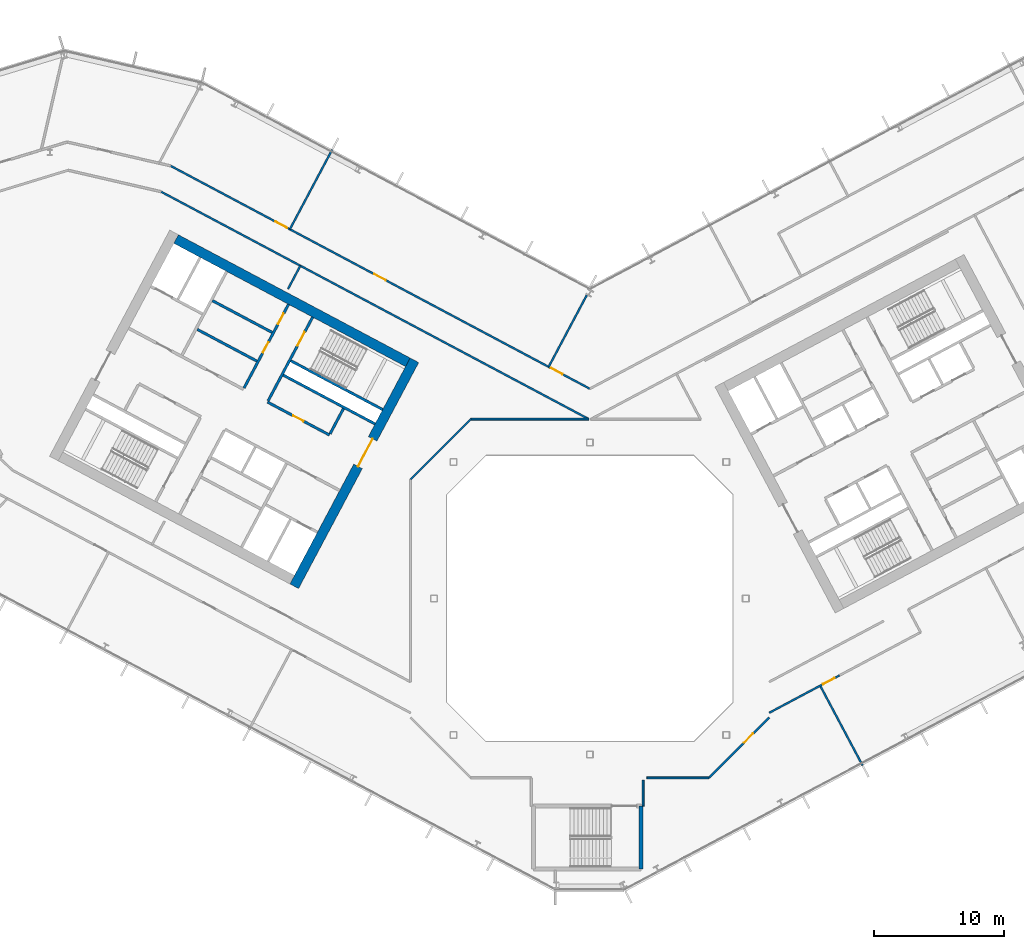
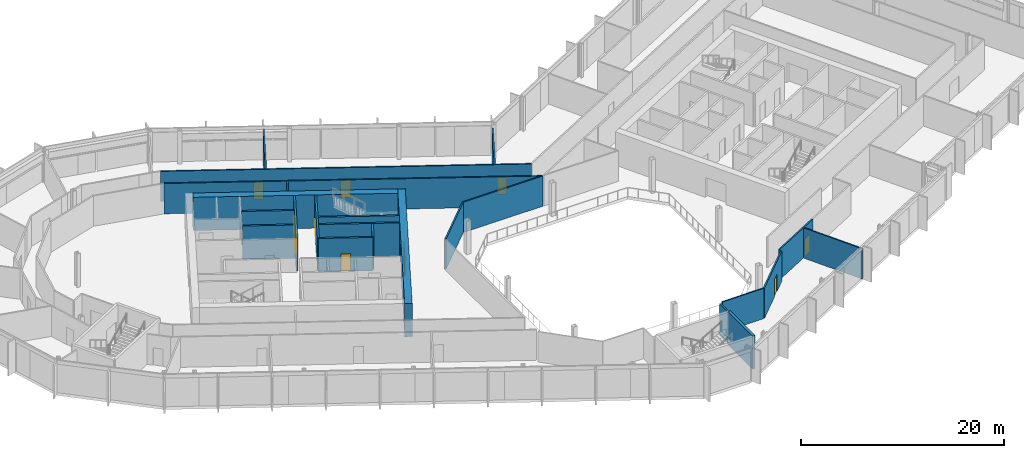
# One storey, part 15 of 28: 24 walls, 10 doors, 10 openings.
"""IFC4 building model written with IfcOpenShell, lengths in metres."""

from ifc_helpers import new_model, si_unit, direction, frame, frame_2d, origin, place, context, subcontext, project, spatial, rectangle, extrude, material, layer, layer_set, type_object, element, fill, save


model = new_model("IFC4")

# Units and contexts
model_context = context("Model", 3, precision=1e-05, world=origin(), true_north=direction((0.0, 1.0)))
body_context = subcontext(model_context, "Body", "Model", "MODEL_VIEW")
ifc_project = project(units=[si_unit("LENGTHUNIT", "METRE"), si_unit("AREAUNIT", "SQUARE_METRE"), si_unit("VOLUMEUNIT", "CUBIC_METRE"), si_unit("PLANEANGLEUNIT", "RADIAN"), si_unit("MASSUNIT", "GRAM", prefix="KILO")], contexts=[model_context])

# Site, building, storey
site_placement = place(None, origin())
site = spatial("IfcSite", under=ifc_project, at=site_placement, CompositionType="ELEMENT")
building_placement = place(site_placement, origin())
building = spatial("IfcBuilding", under=site, at=building_placement, Name="Cormorant Relay Tower", CompositionType="ELEMENT")
storey_placement = place(building_placement, frame((0.0, 0.0, 134.199951171875)))
storey = spatial("IfcBuildingStorey", under=building, at=storey_placement, Name="L27", CompositionType="ELEMENT", Elevation=134.199951171875)

# Walls
ifc_material_1 = material(Name="Concrete 40 MPa", Category="concrete")
ifc_layer_1 = layer(ifc_material_1, 0.199951171875)
ifc_layer_set_1 = layer_set([ifc_layer_1], Name="Core internal wall 200")
wall_type_1 = type_object("IfcWallType", Name="Core internal wall 200", PredefinedType="SOLIDWALL", material=ifc_layer_set_1)
wall_1_placement = place(storey_placement, frame((-24.449462890625, 20.474853515625, 0.0), z_axis=(0.0, 0.0, 1.0), x_axis=(-0.882934506056, 0.469496174655, 0.0)))
element("IfcWall", 1, at=wall_1_placement, inside=storey, type_object=wall_type_1, Name="L27 core A shaft and room wall", PredefinedType="SOLIDWALL", context=body_context, shape_type="SweptSolid", body=[
    extrude(rectangle(XDim=5.199951171875, YDim=0.199951171875, at=frame_2d((2.60009765625, 0.0))), origin(), (0.0, 0.0, 1.0), 4.0),
])
ifc_material_2 = material(Name="Concrete 50 MPa", Category="concrete")
ifc_layer_2 = layer(ifc_material_2, 0.199951171875)
ifc_layer_set_2 = layer_set([ifc_layer_2], Name="Core shaft wall 200")
wall_type_2 = type_object("IfcWallType", Name="Core shaft wall 200", PredefinedType="SHEAR", material=ifc_layer_set_2)
wall_2_placement = place(storey_placement, frame((-18.959716796875, 14.611328125, 0.0), z_axis=(0.0, 0.0, 1.0), x_axis=(-0.4694473164, -0.882960484464, 0.0)))
element("IfcWall", 2, at=wall_2_placement, inside=storey, type_object=wall_type_2, Name="L27 core A shaft wall", PredefinedType="SHEAR", context=body_context, shape_type="SweptSolid", body=[
    extrude(rectangle(XDim=2.199951171875, YDim=0.199951171875, at=frame_2d((1.10009765625, 0.0))), origin(), (0.0, 0.0, 1.0), 4.0),
])

# Wall, opening, door
wall_3_placement = place(storey_placement, frame((-21.333251953125, 21.6494140625, 0.0), z_axis=(0.0, 0.0, 1.0), x_axis=(-0.469494272526, -0.882935517501, 0.0)))
wall_3 = element("IfcWall", 3, at=wall_3_placement, inside=storey, type_object=wall_type_2, Name="L27 core A shaft wall", PredefinedType="SHEAR", context=body_context, shape_type="SweptSolid", body=[
    extrude(rectangle(XDim=7.2998046875, YDim=0.199951171875, at=frame_2d((3.64990234375, 0.0))), origin(), (0.0, 0.0, 1.0), 4.0),
])
opening_1_placement = place(wall_3_placement, frame((1.300048828125, 0.0, 0.0)))
opening_1 = element("IfcOpeningElement", 4, at=opening_1_placement, cuts=wall_3, Name="Opening CDB-034", PredefinedType="OPENING", context=body_context, shape_type="SweptSolid", body=[
    extrude(rectangle(XDim=1.199951171875, YDim=2.10009765625, at=frame_2d((0.60009765625, 1.050048828125))), frame((0.0, 0.10986328125, 0.0), z_axis=(0.0, -1.0, 0.0), x_axis=(1.0, 0.0, 0.0)), (0.0, 0.0, 1.0), 0.219970703125),
])
ifc_material_3 = material(Name="Steel fire door", Category="steel")
door_type_1 = type_object("IfcDoorType", Name="Core stair door 1200x2100", OperationType="SINGLE_SWING_LEFT", PredefinedType="DOOR", material=ifc_material_3)
door_1_placement = place(opening_1_placement, origin())
door_1 = element("IfcDoor", 5, at=door_1_placement, inside=storey, type_object=door_type_1, Name="Core stair door 1200x2100", OperationType="SINGLE_SWING_RIGHT", OverallHeight=2.10009765625, OverallWidth=1.199951171875, PredefinedType="DOOR", context=body_context, shape_type="SweptSolid", body=[
    extrude(rectangle(XDim=1.199951171875, YDim=2.10009765625, at=frame_2d((0.60009765625, 1.050048828125))), frame((0.0, 0.02490234375, 0.0), z_axis=(0.0, -1.0, 0.0), x_axis=(1.0, 0.0, 0.0)), (0.0, 0.0, 1.0), 0.050048828125),
])
fill(opening_1, door_1)

# Wall, openings, doors
wall_4_placement = place(storey_placement, frame((-23.1875, 22.635498046875, 0.0), z_axis=(0.0, 0.0, 1.0), x_axis=(-0.469454336211, -0.882956752176, 0.0)))
wall_4 = element("IfcWall", 6, at=wall_4_placement, inside=storey, type_object=wall_type_2, Name="L27 core A shaft wall", PredefinedType="SHEAR", context=body_context, shape_type="SweptSolid", body=[
    extrude(rectangle(XDim=7.300048828125, YDim=0.199951171875, at=frame_2d((3.64990234375, 0.0))), origin(), (0.0, 0.0, 1.0), 4.0),
])
opening_2_placement = place(wall_4_placement, frame((0.800048828125, 0.0, 0.0)))
opening_2 = element("IfcOpeningElement", 7, at=opening_2_placement, cuts=wall_4, Name="Opening CDD-189", PredefinedType="OPENING", context=body_context, shape_type="SweptSolid", body=[
    extrude(rectangle(XDim=0.89990234375, YDim=2.10009765625, at=frame_2d((0.449951171875, 1.050048828125))), frame((0.0, 0.10986328125, 0.0), z_axis=(0.0, -1.0, 0.0), x_axis=(1.0, 0.0, 0.0)), (0.0, 0.0, 1.0), 0.219970703125),
])
opening_3_placement = place(wall_4_placement, frame((3.300048828125, 0.0, 0.0)))
opening_3 = element("IfcOpeningElement", 8, at=opening_3_placement, cuts=wall_4, Name="Opening CDD-190", PredefinedType="OPENING", context=body_context, shape_type="SweptSolid", body=[
    extrude(rectangle(XDim=0.89990234375, YDim=2.10009765625, at=frame_2d((0.449951171875, 1.050048828125))), frame((0.0, 0.10986328125, 0.0), z_axis=(0.0, -1.0, 0.0), x_axis=(1.0, 0.0, 0.0)), (0.0, 0.0, 1.0), 0.219970703125),
])
ifc_material_4 = material(Name="Steel fire door", Category="steel")
door_type_2 = type_object("IfcDoorType", Name="Core room door 900x2100", OperationType="SINGLE_SWING_LEFT", PredefinedType="DOOR", material=ifc_material_4)
door_2_placement = place(opening_2_placement, frame((0.89990234375, 0.0, 0.0), z_axis=(0.0, 0.0, 1.0), x_axis=(-1.0, 0.0, 0.0)))
door_2 = element("IfcDoor", 9, at=door_2_placement, inside=storey, type_object=door_type_2, Name="Core room door 900x2100", OperationType="SINGLE_SWING_LEFT", OverallHeight=2.10009765625, OverallWidth=0.89990234375, PredefinedType="DOOR", context=body_context, shape_type="SweptSolid", body=[
    extrude(rectangle(XDim=0.89990234375, YDim=2.10009765625, at=frame_2d((0.449951171875, 1.050048828125))), frame((0.0, 0.02490234375, 0.0), z_axis=(0.0, -1.0, 0.0), x_axis=(1.0, 0.0, 0.0)), (0.0, 0.0, 1.0), 0.050048828125),
])
fill(opening_2, door_2)
door_3_placement = place(opening_3_placement, frame((0.89990234375, 0.0, 0.0), z_axis=(0.0, 0.0, 1.0), x_axis=(-1.0, 0.0, 0.0)))
door_3 = element("IfcDoor", 10, at=door_3_placement, inside=storey, type_object=door_type_2, Name="Core room door 900x2100", OperationType="SINGLE_SWING_RIGHT", OverallHeight=2.10009765625, OverallWidth=0.89990234375, PredefinedType="DOOR", context=body_context, shape_type="SweptSolid", body=[
    extrude(rectangle(XDim=0.89990234375, YDim=2.10009765625, at=frame_2d((0.449951171875, 1.050048828125))), frame((0.0, 0.02490234375, 0.0), z_axis=(0.0, -1.0, 0.0), x_axis=(1.0, 0.0, 0.0)), (0.0, 0.0, 1.0), 0.050048828125),
])
fill(opening_3, door_3)

# Walls
wall_5_placement = place(storey_placement, frame((-15.94189453125, 14.53564453125, 0.0), z_axis=(0.0, 0.0, 1.0), x_axis=(-0.882946947542, 0.469472776449, 0.0)))
element("IfcWall", 11, at=wall_5_placement, inside=storey, type_object=wall_type_2, Name="L27 core A shaft wall", PredefinedType="SHEAR", context=body_context, shape_type="SweptSolid", body=[
    extrude(rectangle(XDim=8.000244140625, YDim=0.199951171875, at=frame_2d((4.0, 0.0))), origin(), (0.0, 0.0, 1.0), 4.0),
])
wall_6_placement = place(storey_placement, frame((-16.52880859375, 13.43212890625, 0.0), z_axis=(0.0, 0.0, 1.0), x_axis=(-0.88295287151, 0.469461634952, 0.0)))
element("IfcWall", 12, at=wall_6_placement, inside=storey, type_object=wall_type_2, Name="L27 core A shaft wall", PredefinedType="SHEAR", context=body_context, shape_type="SweptSolid", body=[
    extrude(rectangle(XDim=7.999755859375, YDim=0.199951171875, at=frame_2d((4.0, 0.0))), origin(), (0.0, 0.0, 1.0), 4.0),
])
wall_7_placement = place(storey_placement, frame((-25.623046875, 18.267578125, 0.0), z_axis=(0.0, 0.0, 1.0), x_axis=(-0.882953967957, 0.469459572775, 0.0)))
element("IfcWall", 13, at=wall_7_placement, inside=storey, type_object=wall_type_2, Name="L27 core A shaft wall", PredefinedType="SHEAR", context=body_context, shape_type="SweptSolid", body=[
    extrude(rectangle(XDim=5.199951171875, YDim=0.199951171875, at=frame_2d((2.60009765625, 0.0))), origin(), (0.0, 0.0, 1.0), 4.0),
])

# Wall, opening, door
wall_8_placement = place(storey_placement, frame((-20.03955078125, 12.58056640625, 0.0), z_axis=(0.0, 0.0, 1.0), x_axis=(-0.882942972946, 0.469480251476, 0.0)))
wall_8 = element("IfcWall", 14, at=wall_8_placement, inside=storey, type_object=wall_type_2, Name="L27 core A shaft wall", PredefinedType="SHEAR", context=body_context, shape_type="SweptSolid", body=[
    extrude(rectangle(XDim=5.39990234375, YDim=0.199951171875, at=frame_2d((2.699951171875, 0.0))), origin(), (0.0, 0.0, 1.0), 4.0),
])
opening_4_placement = place(wall_8_placement, frame((2.25, 0.0, 0.0)))
opening_4 = element("IfcOpeningElement", 15, at=opening_4_placement, cuts=wall_8, Name="Opening CDD-185", PredefinedType="OPENING", context=body_context, shape_type="SweptSolid", body=[
    extrude(rectangle(XDim=0.89990234375, YDim=2.10009765625, at=frame_2d((0.449951171875, 1.050048828125))), frame((0.0, 0.10986328125, 0.0), z_axis=(0.0, -1.0, 0.0), x_axis=(1.0, 0.0, 0.0)), (0.0, 0.0, 1.0), 0.219970703125),
])
door_4_placement = place(opening_4_placement, frame((0.89990234375, 0.0, 0.0), z_axis=(0.0, 0.0, 1.0), x_axis=(-1.0, 0.0, 0.0)))
door_4 = element("IfcDoor", 16, at=door_4_placement, inside=storey, type_object=door_type_2, Name="Core room door 900x2100", OperationType="SINGLE_SWING_RIGHT", OverallHeight=2.10009765625, OverallWidth=0.89990234375, PredefinedType="DOOR", context=body_context, shape_type="SweptSolid", body=[
    extrude(rectangle(XDim=0.89990234375, YDim=2.10009765625, at=frame_2d((0.449951171875, 1.050048828125))), frame((0.0, 0.02490234375, 0.0), z_axis=(0.0, -1.0, 0.0), x_axis=(1.0, 0.0, 0.0)), (0.0, 0.0, 1.0), 0.050048828125),
])
fill(opening_4, door_4)

ifc_material_5 = material(Name="Concrete 60 MPa", Category="concrete")
ifc_layer_3 = layer(ifc_material_5, 0.75)
ifc_layer_set_3 = layer_set([ifc_layer_3], Name="Core wall 750")
wall_type_3 = type_object("IfcWallType", Name="Core wall 750", PredefinedType="SHEAR", material=ifc_layer_set_3)
wall_9_placement = place(storey_placement, frame((-13.498291015625, 18.3330078125, 0.0), z_axis=(0.0, 0.0, 1.0), x_axis=(-0.469469918705, -0.88294846703, 0.0)))
wall_9 = element("IfcWall", 17, at=wall_9_placement, inside=storey, type_object=wall_type_3, Name="L27 core A wall", PredefinedType="SHEAR", context=body_context, shape_type="SweptSolid", body=[
    extrude(rectangle(XDim=19.699951171875, YDim=0.75, at=frame_2d((9.85009765625, 0.0))), origin(), (0.0, 0.0, 1.0), 4.0),
])
opening_5_placement = place(wall_9_placement, frame((6.85009765625, 0.0, 0.0)))
opening_5 = element("IfcOpeningElement", 18, at=opening_5_placement, cuts=wall_9, Name="Opening CDA-030", PredefinedType="OPENING", context=body_context, shape_type="SweptSolid", body=[
    extrude(rectangle(XDim=2.39990234375, YDim=2.39990234375, at=frame_2d((1.199951171875, 1.199951171875))), frame((0.0, 0.385009765625, 0.0), z_axis=(0.0, -1.0, 0.0), x_axis=(1.0, 0.0, 0.0)), (0.0, 0.0, 1.0), 0.77001953125),
])
ifc_material_6 = material(Name="Steel fire door", Category="steel")
door_type_3 = type_object("IfcDoorType", Name="Core lobby door 2400x2400", OperationType="DOUBLE_DOOR_SINGLE_SWING", PredefinedType="DOOR", material=ifc_material_6)
door_5_placement = place(opening_5_placement, frame((2.39990234375, 0.0, 0.0), z_axis=(0.0, 0.0, 1.0), x_axis=(-1.0, 0.0, 0.0)))
door_5 = element("IfcDoor", 19, at=door_5_placement, inside=storey, type_object=door_type_3, Name="Core lobby door 2400x2400", OperationType="DOUBLE_DOOR_SINGLE_SWING", OverallHeight=2.39990234375, OverallWidth=2.39990234375, PredefinedType="DOOR", context=body_context, shape_type="SweptSolid", body=[
    extrude(rectangle(XDim=2.39990234375, YDim=2.39990234375, at=frame_2d((1.199951171875, 1.199951171875))), frame((0.0, 0.02490234375, 0.0), z_axis=(0.0, -1.0, 0.0), x_axis=(1.0, 0.0, 0.0)), (0.0, 0.0, 1.0), 0.050048828125),
])
fill(opening_5, door_5)

# Walls
wall_10_placement = place(storey_placement, frame((-14.00537109375, 18.177978515625, 0.0), z_axis=(0.0, 0.0, 1.0), x_axis=(-0.88295010195, 0.469466843842, 0.0)))
element("IfcWall", 20, at=wall_10_placement, inside=storey, type_object=wall_type_3, Name="L27 core A wall", PredefinedType="SHEAR", context=body_context, shape_type="SweptSolid", body=[
    extrude(rectangle(XDim=20.199951171875, YDim=0.75, at=frame_2d((10.10009765625, 0.0))), origin(), (0.0, 0.0, 1.0), 4.0),
])
ifc_material_7 = material(Name="Gypsum board fire partition")
ifc_layer_4 = layer(ifc_material_7, 0.14990234375)
ifc_layer_set_4 = layer_set([ifc_layer_4], Name="Corridor partition 150 EI 60")
wall_type_4 = type_object("IfcWallType", Name="Corridor partition 150 EI 60", PredefinedType="PARTITIONING", material=ifc_layer_set_4)
wall_11_placement = place(storey_placement, frame((-33.0, 31.306884765625, 0.0), z_axis=(0.0, 0.0, 1.0), x_axis=(0.882966008295, -0.469436926748, 0.0)))
element("IfcWall", 21, at=wall_11_placement, inside=storey, type_object=wall_type_4, Name="wall/L27/part/023", PredefinedType="PARTITIONING", context=body_context, shape_type="SweptSolid", body=[
    extrude(rectangle(XDim=12.144287109375, YDim=0.14990234375, at=frame_2d((6.072265625, 0.0))), origin(), (0.0, 0.0, 1.0), 3.64013671875),
])

# Wall, openings, doors
wall_12_placement = place(storey_placement, frame((-32.258056640625, 33.291015625, 0.0), z_axis=(0.0, 0.0, 1.0), x_axis=(0.882945475173, -0.469475545552, 0.0)))
wall_12 = element("IfcWall", 22, at=wall_12_placement, inside=storey, type_object=wall_type_4, Name="wall/L27/part/040", PredefinedType="PARTITIONING", context=body_context, shape_type="SweptSolid", body=[
    extrude(rectangle(XDim=36.53466796875, YDim=0.14990234375, at=frame_2d((18.267333984375, 0.0))), origin(), (0.0, 0.0, 1.0), 3.64013671875),
])
opening_6_placement = place(wall_12_placement, frame((33.14990234375, 0.0, 0.0)))
opening_6 = element("IfcOpeningElement", 23, at=opening_6_placement, cuts=wall_12, Name="Opening DS-022", PredefinedType="OPENING", context=body_context, shape_type="SweptSolid", body=[
    extrude(rectangle(XDim=1.0, YDim=2.10009765625, at=frame_2d((0.5, 1.050048828125))), frame((0.0, 0.0849609375, 0.0), z_axis=(0.0, -1.0, 0.0), x_axis=(1.0, 0.0, 0.0)), (0.0, 0.0, 1.0), 0.169921875),
])
opening_7_placement = place(wall_12_placement, frame((17.75, 0.0, 0.0)))
opening_7 = element("IfcOpeningElement", 24, at=opening_7_placement, cuts=wall_12, Name="Opening DS-023", PredefinedType="OPENING", context=body_context, shape_type="SweptSolid", body=[
    extrude(rectangle(XDim=1.0, YDim=2.10009765625, at=frame_2d((0.5, 1.050048828125))), frame((0.0, 0.0849609375, 0.0), z_axis=(0.0, -1.0, 0.0), x_axis=(1.0, 0.0, 0.0)), (0.0, 0.0, 1.0), 0.169921875),
])
opening_8_placement = place(wall_12_placement, frame((9.14892578125, 0.0, 0.0)))
opening_8 = element("IfcOpeningElement", 25, at=opening_8_placement, cuts=wall_12, Name="Opening DS-024", PredefinedType="OPENING", context=body_context, shape_type="SweptSolid", body=[
    extrude(rectangle(XDim=1.0, YDim=2.10009765625, at=frame_2d((0.5, 1.050048828125))), frame((0.0, 0.0849609375, 0.0), z_axis=(0.0, -1.0, 0.0), x_axis=(1.0, 0.0, 0.0)), (0.0, 0.0, 1.0), 0.169921875),
])
ifc_material_8 = material(Name="Timber door leaf", Category="wood")
door_type_4 = type_object("IfcDoorType", Name="Suite door 1000x2100", OperationType="SINGLE_SWING_LEFT", PredefinedType="DOOR", material=ifc_material_8)
door_6_placement = place(opening_6_placement, origin())
door_6 = element("IfcDoor", 26, at=door_6_placement, inside=storey, type_object=door_type_4, Name="door/L27/009", OperationType="SINGLE_SWING_LEFT", OverallHeight=2.10009765625, OverallWidth=1.0, PredefinedType="DOOR", context=body_context, shape_type="SweptSolid", body=[
    extrude(rectangle(XDim=1.0, YDim=2.10009765625, at=frame_2d((0.5, 1.050048828125))), frame((0.0, 0.02490234375, 0.0), z_axis=(0.0, -1.0, 0.0), x_axis=(1.0, 0.0, 0.0)), (0.0, 0.0, 1.0), 0.050048828125),
])
fill(opening_6, door_6)
door_7_placement = place(opening_7_placement, origin())
door_7 = element("IfcDoor", 27, at=door_7_placement, inside=storey, type_object=door_type_4, Name="door/L27/010", OperationType="SINGLE_SWING_RIGHT", OverallHeight=2.10009765625, OverallWidth=1.0, PredefinedType="DOOR", context=body_context, shape_type="SweptSolid", body=[
    extrude(rectangle(XDim=1.0, YDim=2.10009765625, at=frame_2d((0.5, 1.050048828125))), frame((0.0, 0.02490234375, 0.0), z_axis=(0.0, -1.0, 0.0), x_axis=(1.0, 0.0, 0.0)), (0.0, 0.0, 1.0), 0.050048828125),
])
fill(opening_7, door_7)
door_8_placement = place(opening_8_placement, origin())
door_8 = element("IfcDoor", 28, at=door_8_placement, inside=storey, type_object=door_type_4, Name="door/L27/011", OperationType="SINGLE_SWING_RIGHT", OverallHeight=2.10009765625, OverallWidth=1.0, PredefinedType="DOOR", context=body_context, shape_type="SweptSolid", body=[
    extrude(rectangle(XDim=1.0, YDim=2.10009765625, at=frame_2d((0.5, 1.050048828125))), frame((0.0, 0.02490234375, 0.0), z_axis=(0.0, -1.0, 0.0), x_axis=(1.0, 0.0, 0.0)), (0.0, 0.0, 1.0), 0.050048828125),
])
fill(opening_8, door_8)

# Walls
wall_13_placement = place(storey_placement, frame((-0.073974609375, 13.800048828125, 0.0), z_axis=(0.0, 0.0, 1.0), x_axis=(-0.8829426933, 0.4694807774, 0.0)))
element("IfcWall", 29, at=wall_13_placement, inside=storey, type_object=wall_type_4, Name="wall/L27/part/043", PredefinedType="PARTITIONING", context=body_context, shape_type="SweptSolid", body=[
    extrude(rectangle(XDim=25.146728515625, YDim=0.14990234375, at=frame_2d((12.5732421875, 0.0))), origin(), (0.0, 0.0, 1.0), 3.64013671875),
])
wall_14_placement = place(storey_placement, frame((-0.073974609375, 13.800048828125, 0.0), z_axis=(0.0, 0.0, 1.0), x_axis=(-1.0, 0.0, 0.0)))
element("IfcWall", 30, at=wall_14_placement, inside=storey, type_object=wall_type_4, Name="wall/L27/part/045", PredefinedType="PARTITIONING", context=body_context, shape_type="SweptSolid", body=[
    extrude(rectangle(XDim=9.0859375, YDim=0.14990234375, at=frame_2d((4.54296875, 0.0))), origin(), (0.0, 0.0, 1.0), 3.64013671875),
])
wall_15_placement = place(storey_placement, frame((-9.159912109375, 13.800048828125, 0.0), z_axis=(0.0, 0.0, 1.0), x_axis=(-0.707106781187, -0.707106781187, 0.0)))
element("IfcWall", 31, at=wall_15_placement, inside=storey, type_object=wall_type_4, Name="wall/L27/part/046", PredefinedType="PARTITIONING", context=body_context, shape_type="SweptSolid", body=[
    extrude(rectangle(XDim=6.562255859375, YDim=0.14990234375, at=frame_2d((3.28125, 0.0))), origin(), (0.0, 0.0, 1.0), 3.64013671875),
])
wall_16_placement = place(storey_placement, frame((4.10009765625, -15.97509765625, 0.0), z_axis=(0.0, 0.0, 1.0), x_axis=(0.0, 1.0, 0.0)))
element("IfcWall", 32, at=wall_16_placement, inside=storey, type_object=wall_type_4, Name="wall/L27/part/053", PredefinedType="PARTITIONING", context=body_context, shape_type="SweptSolid", body=[
    extrude(rectangle(XDim=1.9970703125, YDim=0.14990234375, at=frame_2d((0.99853515625, 0.0))), origin(), (0.0, 0.0, 1.0), 3.64013671875),
])

# Wall, opening, door
wall_17_placement = place(storey_placement, frame((13.800048828125, -9.159912109375, 0.0), z_axis=(0.0, 0.0, 1.0), x_axis=(-0.707106781187, -0.707106781187, 0.0)))
wall_17 = element("IfcWall", 33, at=wall_17_placement, inside=storey, type_object=wall_type_4, Name="wall/L27/part/054", PredefinedType="PARTITIONING", context=body_context, shape_type="SweptSolid", body=[
    extrude(rectangle(XDim=6.562255859375, YDim=0.14990234375, at=frame_2d((3.28125, 0.0))), origin(), (0.0, 0.0, 1.0), 3.64013671875),
])
opening_9_placement = place(wall_17_placement, frame((1.75, 0.0, 0.0)))
opening_9 = element("IfcOpeningElement", 34, at=opening_9_placement, cuts=wall_17, Name="Opening DS-018", PredefinedType="OPENING", context=body_context, shape_type="SweptSolid", body=[
    extrude(rectangle(XDim=1.0, YDim=2.10009765625, at=frame_2d((0.5, 1.050048828125))), frame((0.0, 0.0849609375, 0.0), z_axis=(0.0, -1.0, 0.0), x_axis=(1.0, 0.0, 0.0)), (0.0, 0.0, 1.0), 0.169921875),
])
door_9_placement = place(opening_9_placement, origin())
door_9 = element("IfcDoor", 35, at=door_9_placement, inside=storey, type_object=door_type_4, Name="door/L27/003", OperationType="SINGLE_SWING_LEFT", OverallHeight=2.10009765625, OverallWidth=1.0, PredefinedType="DOOR", context=body_context, shape_type="SweptSolid", body=[
    extrude(rectangle(XDim=1.0, YDim=2.10009765625, at=frame_2d((0.5, 1.050048828125))), frame((0.0, 0.02490234375, 0.0), z_axis=(0.0, -1.0, 0.0), x_axis=(1.0, 0.0, 0.0)), (0.0, 0.0, 1.0), 0.050048828125),
])
fill(opening_9, door_9)

# Wall
wall_18_placement = place(storey_placement, frame((9.159912109375, -13.800048828125, 0.0), z_axis=(0.0, 0.0, 1.0), x_axis=(-1.0, 0.0, 0.0)))
element("IfcWall", 36, at=wall_18_placement, inside=storey, type_object=wall_type_4, Name="wall/L27/part/055", PredefinedType="PARTITIONING", context=body_context, shape_type="SweptSolid", body=[
    extrude(rectangle(XDim=4.760986328125, YDim=0.14990234375, at=frame_2d((2.38037109375, 0.0))), origin(), (0.0, 0.0, 1.0), 3.64013671875),
])

# Wall, opening, door
wall_19_placement = place(storey_placement, frame((19.216064453125, -5.922119140625, 0.0), z_axis=(0.0, 0.0, 1.0), x_axis=(-0.882938387259, -0.469488875591, 0.0)))
wall_19 = element("IfcWall", 37, at=wall_19_placement, inside=storey, type_object=wall_type_4, Name="wall/L27/part/057", PredefinedType="PARTITIONING", context=body_context, shape_type="SweptSolid", body=[
    extrude(rectangle(XDim=6.134033203125, YDim=0.14990234375, at=frame_2d((3.06689453125, 0.0))), origin(), (0.0, 0.0, 1.0), 3.64013671875),
])
opening_10_placement = place(wall_19_placement, frame((0.449951171875, 0.0, 0.0)))
opening_10 = element("IfcOpeningElement", 38, at=opening_10_placement, cuts=wall_19, Name="Opening DS-019", PredefinedType="OPENING", context=body_context, shape_type="SweptSolid", body=[
    extrude(rectangle(XDim=1.0, YDim=2.10009765625, at=frame_2d((0.5, 1.050048828125))), frame((0.0, 0.0849609375, 0.0), z_axis=(0.0, -1.0, 0.0), x_axis=(1.0, 0.0, 0.0)), (0.0, 0.0, 1.0), 0.169921875),
])
door_10_placement = place(opening_10_placement, origin())
door_10 = element("IfcDoor", 39, at=door_10_placement, inside=storey, type_object=door_type_4, Name="door/L27/004", OperationType="SINGLE_SWING_RIGHT", OverallHeight=2.10009765625, OverallWidth=1.0, PredefinedType="DOOR", context=body_context, shape_type="SweptSolid", body=[
    extrude(rectangle(XDim=1.0, YDim=2.10009765625, at=frame_2d((0.5, 1.050048828125))), frame((0.0, 0.02490234375, 0.0), z_axis=(0.0, -1.0, 0.0), x_axis=(1.0, 0.0, 0.0)), (0.0, 0.0, 1.0), 0.050048828125),
])
fill(opening_10, door_10)

# Walls
ifc_material_9 = material(Name="Concrete 50 MPa", Category="concrete")
ifc_layer_5 = layer(ifc_material_9, 0.300048828125)
ifc_layer_set_5 = layer_set([ifc_layer_5], Name="Remote stair wall 300")
wall_type_5 = type_object("IfcWallType", Name="Remote stair wall 300", PredefinedType="SHEAR", material=ifc_layer_set_5)
wall_20_placement = place(storey_placement, frame((3.949951171875, -15.97509765625, 0.0), z_axis=(0.0, 0.0, 1.0), x_axis=(0.0, -1.0, 0.0)))
element("IfcWall", 40, at=wall_20_placement, inside=storey, type_object=wall_type_5, Name="L27 exit stair RK1 wall", PredefinedType="SHEAR", context=body_context, shape_type="SweptSolid", body=[
    extrude(rectangle(XDim=4.849853515625, YDim=0.300048828125, at=frame_2d((2.4248046875, 0.0))), origin(), (0.0, 0.0, 1.0), 4.0),
])
ifc_material_10 = material(Name="Gypsum board partition")
ifc_layer_6 = layer(ifc_material_10, 0.14990234375)
ifc_layer_set_6 = layer_set([ifc_layer_6], Name="Tenant partition 150")
wall_type_6 = type_object("IfcWallType", Name="Tenant partition 150", PredefinedType="PARTITIONING", material=ifc_layer_set_6)
wall_21_placement = place(storey_placement, frame((-19.822021484375, 34.550048828125, 0.0), z_axis=(0.0, 0.0, 1.0), x_axis=(-0.469455680488, -0.882956037443, 0.0)))
element("IfcWall", 41, at=wall_21_placement, inside=storey, type_object=wall_type_6, Name="wall/L27/part/039", PredefinedType="PARTITIONING", context=body_context, shape_type="SweptSolid", body=[
    extrude(rectangle(XDim=6.950439453125, YDim=0.14990234375, at=frame_2d((3.47509765625, 0.0))), origin(), (0.0, 0.0, 1.0), 3.64013671875),
])
wall_22_placement = place(storey_placement, frame((-22.277099609375, 25.60595703125, 0.0), z_axis=(0.0, 0.0, 1.0), x_axis=(-0.469295881328, -0.88304098193, 0.0)))
element("IfcWall", 42, at=wall_22_placement, inside=storey, type_object=wall_type_6, Name="wall/L27/part/042", PredefinedType="PARTITIONING", context=body_context, shape_type="SweptSolid", body=[
    extrude(rectangle(XDim=2.030517578125, YDim=0.14990234375, at=frame_2d((1.01513671875, 0.0))), origin(), (0.0, 0.0, 1.0), 3.64013671875),
])
wall_23_placement = place(storey_placement, frame((-0.22412109375, 23.364013671875, 0.0), z_axis=(0.0, 0.0, 1.0), x_axis=(-0.469363853193, -0.883004854639, 0.0)))
element("IfcWall", 43, at=wall_23_placement, inside=storey, type_object=wall_type_6, Name="wall/L27/part/044", PredefinedType="PARTITIONING", context=body_context, shape_type="SweptSolid", body=[
    extrude(rectangle(XDim=6.274169921875, YDim=0.14990234375, at=frame_2d((3.13720703125, 0.0))), origin(), (0.0, 0.0, 1.0), 3.64013671875),
])
wall_24_placement = place(storey_placement, frame((17.72705078125, -6.712890625, 0.0), z_axis=(0.0, 0.0, 1.0), x_axis=(0.469441120945, -0.8829637784, 0.0)))
element("IfcWall", 44, at=wall_24_placement, inside=storey, type_object=wall_type_6, Name="wall/L27/part/056", PredefinedType="PARTITIONING", context=body_context, shape_type="SweptSolid", body=[
    extrude(rectangle(XDim=6.95068359375, YDim=0.14990234375, at=frame_2d((3.475341796875, 0.0))), origin(), (0.0, 0.0, 1.0), 3.64013671875),
])

save(model, "model.ifc")
